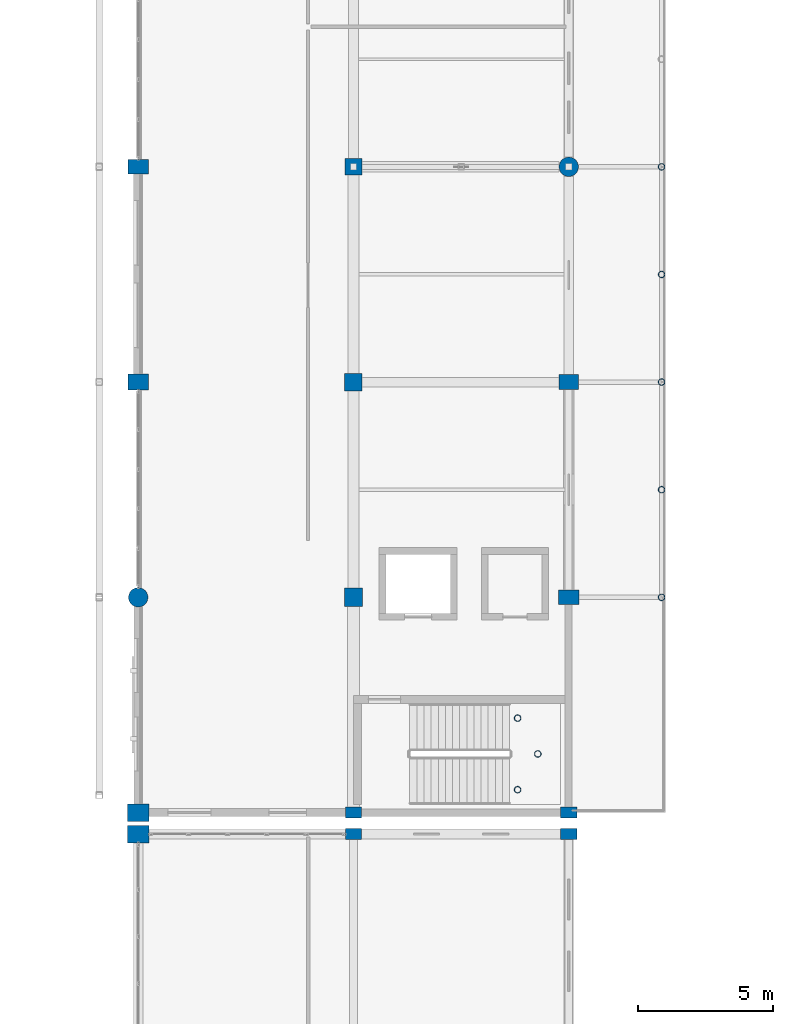
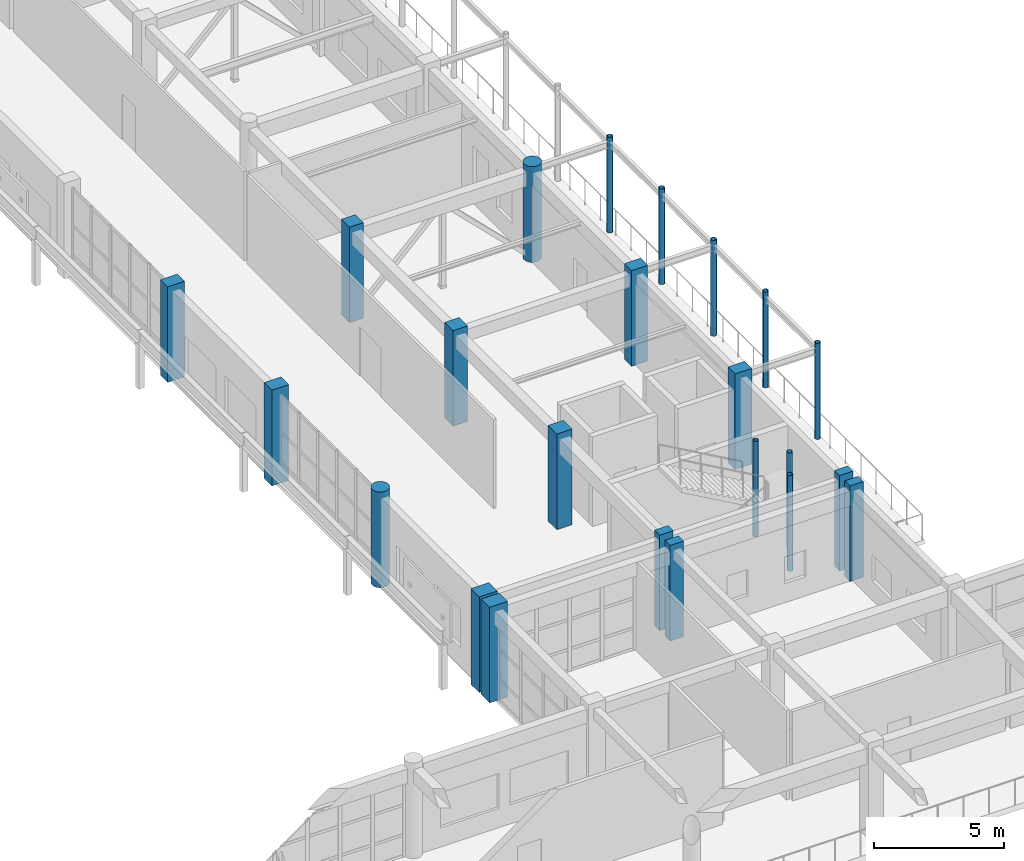
# One storey, part 7 of 160: 23 columns.
"""IFC4 building model written with IfcOpenShell, lengths in metres."""

from ifc_helpers import new_model, si_unit, direction, frame, origin, origin_2d, place, context, subcontext, project, spatial, rectangle, circle, hollow_circle, extrude, material, material_profile, profile_set, type_object, element, save


model = new_model("IFC4")

# Units and contexts
model_context = context("Model", 3, precision=1e-05, world=origin(), true_north=direction((0.0, 1.0)))
body_context = subcontext(model_context, "Body", "Model", "MODEL_VIEW")
ifc_project = project(units=[si_unit("LENGTHUNIT", "METRE"), si_unit("AREAUNIT", "SQUARE_METRE"), si_unit("VOLUMEUNIT", "CUBIC_METRE"), si_unit("PLANEANGLEUNIT", "RADIAN"), si_unit("MASSUNIT", "GRAM", prefix="KILO")], contexts=[model_context])

# Site, building, storey
site_placement = place(None, origin())
site = spatial("IfcSite", under=ifc_project, at=site_placement, CompositionType="ELEMENT")
building_placement = place(site_placement, origin())
building = spatial("IfcBuilding", under=site, at=building_placement, Name="Kharva Crest Polytechnic", CompositionType="ELEMENT")
storey_placement = place(building_placement, frame((0.0, 0.0, 4.5)))
storey = spatial("IfcBuildingStorey", under=building, at=storey_placement, Name="L01", CompositionType="ELEMENT", Elevation=4.5)

# Columns
ifc_material_1 = material(Name="Concrete C40/50", Category="concrete")
ifc_material_profile_1 = material_profile(ifc_material_1, rectangle(XDim=0.60009765625, YDim=0.39990234375, at=origin_2d()), Name="RECT 600 X 400")
ifc_profile_set_1 = profile_set([ifc_material_profile_1], Name="Concrete C40/50")
column_type_1 = type_object("IfcColumnType", Name="COL-EXT-600X400", PredefinedType="COLUMN", material=ifc_profile_set_1)
for number, where, z_axis, x_axis, name in (
    (1, (40.0, 38.0, 0.0), (0.0, 0.0, 1.0), (1.0, 0.0, 0.0), "L01 Column 6/F"),
    (2, (40.0, 38.800048828125, 0.0), (0.0, 0.0, 1.0), (1.0, 0.0, 0.0), "L01 Column 6/FJ"),
    (3, (48.0, 38.0, 0.0), (0.0, 0.0, 1.0), (1.0, 0.0, 0.0), "L01 Column 7/F"),
    (4, (48.0, 38.800048828125, 0.0), (0.0, 0.0, 1.0), (1.0, 0.0, 0.0), "L01 Column 7/FJ"),
):
    element("IfcColumn", number, at=place(storey_placement, frame(where, z_axis=z_axis, x_axis=x_axis)), inside=storey, type_object=column_type_1, Name=name, PredefinedType="COLUMN", context=body_context, shape_type="SweptSolid", body=[
        extrude(rectangle(XDim=0.60009765625, YDim=0.39990234375, at=origin_2d()), origin(), (0.0, 0.0, 1.0), 4.5),
    ])
ifc_material_profile_2 = material_profile(ifc_material_1, rectangle(XDim=0.719970703125, YDim=0.550048828125, at=origin_2d()), Name="RECT 720 X 550")
ifc_profile_set_2 = profile_set([ifc_material_profile_2], Name="Concrete C40/50")
column_type_2 = type_object("IfcColumnType", Name="COL-EXT-720X550", PredefinedType="COLUMN", material=ifc_profile_set_2)
column_1_placement = place(storey_placement, frame((48.0, 54.800048828125, 0.0), z_axis=(0.0, 0.0, 1.0), x_axis=(1.0, 0.0, 0.0)))
element("IfcColumn", 5, at=column_1_placement, inside=storey, type_object=column_type_2, Name="L01 Column 7/H", PredefinedType="COLUMN", context=body_context, shape_type="SweptSolid", body=[
    extrude(rectangle(XDim=0.719970703125, YDim=0.550048828125, at=origin_2d()), origin(), (0.0, 0.0, 1.0), 4.5),
])
ifc_material_profile_3 = material_profile(ifc_material_1, rectangle(XDim=0.75, YDim=0.550048828125, at=origin_2d()), Name="RECT 750 X 550")
ifc_profile_set_3 = profile_set([ifc_material_profile_3], Name="Concrete C40/50")
column_type_3 = type_object("IfcColumnType", Name="COL-EXT-750X550", PredefinedType="COLUMN", material=ifc_profile_set_3)
for number, where, z_axis, x_axis, name in (
    (6, (32.0, 62.800048828125, 0.0), (0.0, 0.0, 1.0), (1.0, 0.0, 0.0), "L01 Column 5/J"),
    (7, (48.0, 46.800048828125, 0.0), (0.0, 0.0, 1.0), (1.0, 0.0, 0.0), "L01 Column 7/G"),
):
    element("IfcColumn", number, at=place(storey_placement, frame(where, z_axis=z_axis, x_axis=x_axis)), inside=storey, type_object=column_type_3, Name=name, PredefinedType="COLUMN", context=body_context, shape_type="SweptSolid", body=[
        extrude(rectangle(XDim=0.75, YDim=0.550048828125, at=origin_2d()), origin(), (0.0, 0.0, 1.0), 4.5),
    ])
ifc_material_profile_4 = material_profile(ifc_material_1, rectangle(XDim=0.75, YDim=0.60009765625, at=origin_2d()), Name="RECT 750 X 600")
ifc_profile_set_4 = profile_set([ifc_material_profile_4], Name="Concrete C40/50")
column_type_4 = type_object("IfcColumnType", Name="COL-EXT-750X600", PredefinedType="COLUMN", material=ifc_profile_set_4)
column_2_placement = place(storey_placement, frame((32.0, 54.800048828125, 0.0), z_axis=(0.0, 0.0, 1.0), x_axis=(1.0, 0.0, 0.0)))
element("IfcColumn", 8, at=column_2_placement, inside=storey, type_object=column_type_4, Name="L01 Column 5/H", PredefinedType="COLUMN", context=body_context, shape_type="SweptSolid", body=[
    extrude(rectangle(XDim=0.75, YDim=0.60009765625, at=origin_2d()), origin(), (0.0, 0.0, 1.0), 4.5),
])
ifc_material_profile_5 = material_profile(ifc_material_1, rectangle(XDim=0.800048828125, YDim=0.64990234375, at=origin_2d()), Name="RECT 800 X 650")
ifc_profile_set_5 = profile_set([ifc_material_profile_5], Name="Concrete C40/50")
column_type_5 = type_object("IfcColumnType", Name="COL-EXT-800X650", PredefinedType="COLUMN", material=ifc_profile_set_5)
for number, where, z_axis, x_axis, name in (
    (9, (32.0, 38.0, 0.0), (0.0, 0.0, 1.0), (1.0, 0.0, 0.0), "L01 Column 5/F"),
    (10, (32.0, 38.800048828125, 0.0), (0.0, 0.0, 1.0), (1.0, 0.0, 0.0), "L01 Column 5/FJ"),
):
    element("IfcColumn", number, at=place(storey_placement, frame(where, z_axis=z_axis, x_axis=x_axis)), inside=storey, type_object=column_type_5, Name=name, PredefinedType="COLUMN", context=body_context, shape_type="SweptSolid", body=[
        extrude(rectangle(XDim=0.800048828125, YDim=0.64990234375, at=origin_2d()), origin(), (0.0, 0.0, 1.0), 4.5),
    ])
ifc_material_profile_6 = material_profile(ifc_material_1, circle(Radius=0.360107421875, at=origin_2d()), Name="DIA 720")
ifc_profile_set_6 = profile_set([ifc_material_profile_6], Name="Concrete C40/50")
column_type_6 = type_object("IfcColumnType", Name="COL-EXT-DIA720", PredefinedType="COLUMN", material=ifc_profile_set_6)
for number, where, z_axis, x_axis, name in (
    (11, (32.0, 46.800048828125, 0.0), (0.0, 0.0, 1.0), (1.0, 0.0, 0.0), "L01 Column 5/G"),
    (12, (48.0, 62.800048828125, 0.0), (0.0, 0.0, 1.0), (1.0, 0.0, 0.0), "L01 Column 7/J"),
):
    element("IfcColumn", number, at=place(storey_placement, frame(where, z_axis=z_axis, x_axis=x_axis)), inside=storey, type_object=column_type_6, Name=name, PredefinedType="COLUMN", context=body_context, shape_type="SweptSolid", body=[
        extrude(circle(Radius=0.360107421875, at=origin_2d()), origin(), (0.0, 0.0, 1.0), 4.5),
    ])
ifc_material_profile_7 = material_profile(ifc_material_1, rectangle(XDim=0.6201171875, YDim=0.6201171875, at=origin_2d()), Name="RECT 620 X 620")
ifc_profile_set_7 = profile_set([ifc_material_profile_7], Name="Concrete C40/50")
column_type_7 = type_object("IfcColumnType", Name="COL-INT-620X620", PredefinedType="COLUMN", material=ifc_profile_set_7)
column_3_placement = place(storey_placement, frame((40.0, 62.800048828125, 0.0), z_axis=(0.0, 0.0, 1.0), x_axis=(1.0, 0.0, 0.0)))
element("IfcColumn", 13, at=column_3_placement, inside=storey, type_object=column_type_7, Name="L01 Column 6/J", PredefinedType="COLUMN", context=body_context, shape_type="SweptSolid", body=[
    extrude(rectangle(XDim=0.6201171875, YDim=0.6201171875, at=origin_2d()), origin(), (0.0, 0.0, 1.0), 4.5),
])
ifc_material_profile_8 = material_profile(ifc_material_1, rectangle(XDim=0.64990234375, YDim=0.64990234375, at=origin_2d()), Name="RECT 650 X 650")
ifc_profile_set_8 = profile_set([ifc_material_profile_8], Name="Concrete C40/50")
column_type_8 = type_object("IfcColumnType", Name="COL-INT-650X650", PredefinedType="COLUMN", material=ifc_profile_set_8)
column_4_placement = place(storey_placement, frame((40.0, 54.800048828125, 0.0), z_axis=(0.0, 0.0, 1.0), x_axis=(1.0, 0.0, 0.0)))
element("IfcColumn", 14, at=column_4_placement, inside=storey, type_object=column_type_8, Name="L01 Column 6/H", PredefinedType="COLUMN", context=body_context, shape_type="SweptSolid", body=[
    extrude(rectangle(XDim=0.64990234375, YDim=0.64990234375, at=origin_2d()), origin(), (0.0, 0.0, 1.0), 4.5),
])
ifc_material_profile_9 = material_profile(ifc_material_1, rectangle(XDim=0.679931640625, YDim=0.679931640625, at=origin_2d()), Name="RECT 680 X 680")
ifc_profile_set_9 = profile_set([ifc_material_profile_9], Name="Concrete C40/50")
column_type_9 = type_object("IfcColumnType", Name="COL-INT-680X680", PredefinedType="COLUMN", material=ifc_profile_set_9)
column_5_placement = place(storey_placement, frame((40.0, 46.800048828125, 0.0), z_axis=(0.0, 0.0, 1.0), x_axis=(1.0, 0.0, 0.0)))
element("IfcColumn", 15, at=column_5_placement, inside=storey, type_object=column_type_9, Name="L01 Column 6/G", PredefinedType="COLUMN", context=body_context, shape_type="SweptSolid", body=[
    extrude(rectangle(XDim=0.679931640625, YDim=0.679931640625, at=origin_2d()), origin(), (0.0, 0.0, 1.0), 4.5),
])
ifc_material_2 = material(Name="Steel S355", Category="steel")
ifc_material_profile_10 = material_profile(ifc_material_2, hollow_circle(Radius=0.122314453125, WallThickness=0.010009765625, at=origin_2d()), Name="CHS 244.5X10.0")
ifc_profile_set_10 = profile_set([ifc_material_profile_10], Name="Steel S355")
column_type_10 = type_object("IfcColumnType", Name="COL-STL-CHS244", PredefinedType="COLUMN", material=ifc_profile_set_10)
for number, where, z_axis, x_axis, name in (
    (16, (51.449951171875, 46.800048828125, 0.0), (0.0, 0.0, 1.0), (1.0, 0.0, 0.0), "L01 Colonnade Column VW01"),
    (17, (51.449951171875, 54.800048828125, 0.0), (0.0, 0.0, 1.0), (1.0, 0.0, 0.0), "L01 Colonnade Column VW02"),
    (18, (51.449951171875, 62.800048828125, 0.0), (0.0, 0.0, 1.0), (1.0, 0.0, 0.0), "L01 Colonnade Column VW03"),
    (19, (51.449951171875, 50.800048828125, 0.0), (0.0, 0.0, 1.0), (1.0, 0.0, 0.0), "L01 Colonnade Mid Column VWM01"),
    (20, (51.449951171875, 58.800048828125, 0.0), (0.0, 0.0, 1.0), (1.0, 0.0, 0.0), "L01 Colonnade Mid Column VWM02"),
    (21, (46.10009765625, 39.64990234375, 0.0), (0.0, 0.0, 1.0), (1.0, 0.0, 0.0), "L01 Stair ST-02 Landing Support Column SW"),
    (22, (46.10009765625, 42.31005859375, 0.0), (0.0, 0.0, 1.0), (1.0, 0.0, 0.0), "L01 Stair ST-02 Landing Support Column NW"),
    (23, (46.85009765625, 40.97998046875, 0.0), (0.0, 0.0, 1.0), (1.0, 0.0, 0.0), "L01 Stair ST-02 Landing Support Column EM"),
):
    element("IfcColumn", number, at=place(storey_placement, frame(where, z_axis=z_axis, x_axis=x_axis)), inside=storey, type_object=column_type_10, Name=name, PredefinedType="COLUMN", context=body_context, shape_type="SweptSolid", body=[
        extrude(hollow_circle(Radius=0.122314453125, WallThickness=0.010009765625, at=origin_2d()), origin(), (0.0, 0.0, 1.0), 4.5),
    ])

save(model, "model.ifc")
